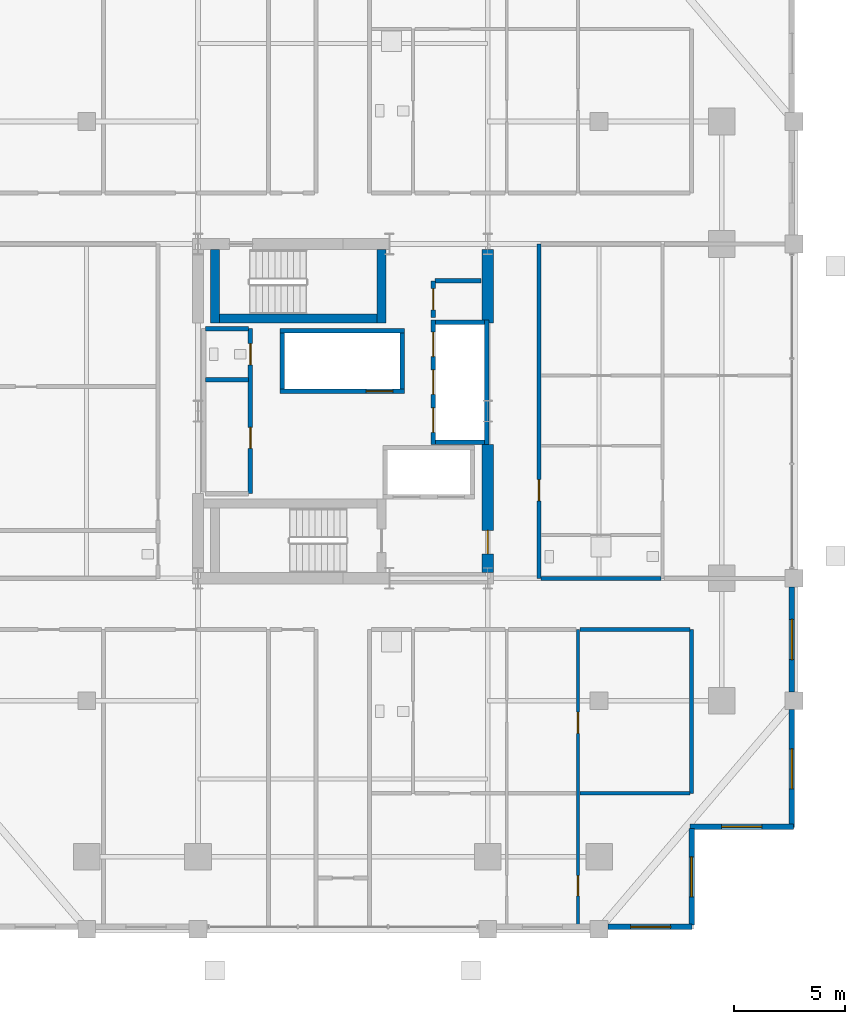
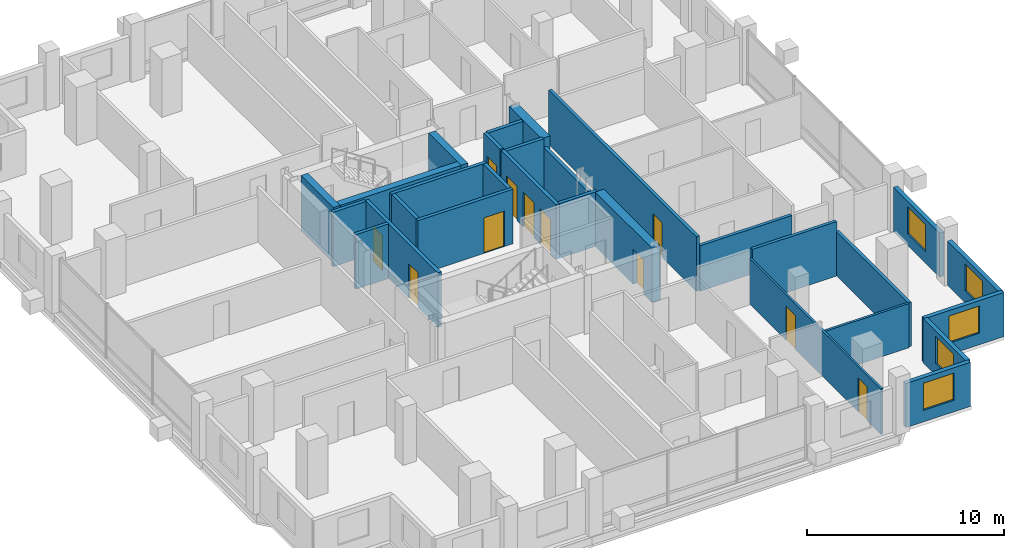
# One storey, part 15 of 19: 29 walls, 11 doors, 5 windows, 16 openings.
"""IFC4 building model written with IfcOpenShell, lengths in metres."""

from ifc_helpers import new_model, si_unit, direction, frame, frame_2d, origin, place, context, subcontext, project, spatial, rectangle, extrude, material, layer, layer_set, type_object, element, fill, save


model = new_model("IFC4")

# Units and contexts
model_context = context("Model", 3, precision=1e-05, world=origin(), true_north=direction((0.0, 1.0)))
body_context = subcontext(model_context, "Body", "Model", "MODEL_VIEW")
ifc_project = project(units=[si_unit("LENGTHUNIT", "METRE"), si_unit("AREAUNIT", "SQUARE_METRE"), si_unit("VOLUMEUNIT", "CUBIC_METRE"), si_unit("PLANEANGLEUNIT", "RADIAN"), si_unit("MASSUNIT", "GRAM", prefix="KILO")], contexts=[model_context])

# Site, building, storey
site_placement = place(None, origin())
site = spatial("IfcSite", under=ifc_project, at=site_placement, CompositionType="ELEMENT")
building_placement = place(site_placement, origin())
building = spatial("IfcBuilding", under=site, at=building_placement, Name="Barlavira Tower and Art Museum", CompositionType="ELEMENT")
storey_placement = place(building_placement, frame((0.0, 0.0, 158.39990234375)))
storey = spatial("IfcBuildingStorey", under=building, at=storey_placement, Name="L40", CompositionType="ELEMENT", Elevation=158.39990234375)

# Wall, openings, doors
ifc_material_1 = material(Name="Gypsum acoustic stud partition", Category="gypsum")
ifc_layer_1 = layer(ifc_material_1, 0.1201171875, Name="Gypsum acoustic stud partition")
ifc_layer_set_1 = layer_set([ifc_layer_1], Name="Gypsum acoustic stud partition")
wall_type_1 = type_object("IfcWallType", Name="Apartment Internal Acoustic Partition 120", PredefinedType="PARTITIONING", material=ifc_layer_set_1)
wall_1_placement = place(storey_placement, frame((10.550048828125, -23.14990234375, 0.0), z_axis=(0.0, 0.0, 1.0), x_axis=(0.0, 1.0, 0.0)))
wall_1 = element("IfcWall", 1, at=wall_1_placement, inside=storey, type_object=wall_type_1, Name="L40 Partition Wall 18", PredefinedType="PARTITIONING", context=body_context, shape_type="SweptSolid", body=[
    extrude(rectangle(XDim=13.349853515625, YDim=0.1201171875, at=frame_2d((6.6748046875, 0.0))), origin(), (0.0, 0.0, 1.0), 2.816162109375),
])
opening_1_placement = place(wall_1_placement, frame((8.686767578125, 0.0, 0.0)))
opening_1 = element("IfcOpeningElement", 2, at=opening_1_placement, cuts=wall_1, Name="Opening D-02", PredefinedType="OPENING", context=body_context, shape_type="SweptSolid", body=[
    extrude(rectangle(XDim=0.949951171875, YDim=2.10009765625, at=frame_2d((0.47509765625, 1.050048828125))), frame((0.0, 0.070068359375, 0.0), z_axis=(0.0, -1.0, 0.0), x_axis=(1.0, 0.0, 0.0)), (0.0, 0.0, 1.0), 0.14013671875),
])
opening_2_placement = place(wall_1_placement, frame((1.39892578125, 0.0, 0.0)))
opening_2 = element("IfcOpeningElement", 3, at=opening_2_placement, cuts=wall_1, Name="Opening D-01", PredefinedType="OPENING", context=body_context, shape_type="SweptSolid", body=[
    extrude(rectangle(XDim=0.89990234375, YDim=2.10009765625, at=frame_2d((0.449951171875, 1.050048828125))), frame((0.0, 0.070068359375, 0.0), z_axis=(0.0, -1.0, 0.0), x_axis=(1.0, 0.0, 0.0)), (0.0, 0.0, 1.0), 0.14013671875),
])
ifc_material_2 = material(Name="Engineered coastal hardwood", Category="wood")
door_type_1 = type_object("IfcDoorType", Name="Internal Bedroom Timber Flush Door 900x2100", OperationType="NOTDEFINED", PredefinedType="DOOR", material=ifc_material_2)
door_1_placement = place(opening_2_placement, origin())
door_1 = element("IfcDoor", 4, at=door_1_placement, inside=storey, type_object=door_type_1, Name="Apartment SE1 Bedroom 2 Door", OperationType="SINGLE_SWING_LEFT", OverallHeight=2.10009765625, OverallWidth=0.89990234375, PredefinedType="DOOR", context=body_context, shape_type="SweptSolid", body=[
    extrude(rectangle(XDim=0.89990234375, YDim=2.10009765625, at=frame_2d((0.449951171875, 1.050048828125))), frame((0.0, 0.02490234375, 0.0), z_axis=(0.0, -1.0, 0.0), x_axis=(1.0, 0.0, 0.0)), (0.0, 0.0, 1.0), 0.050048828125),
])
fill(opening_2, door_1)
door_type_2 = type_object("IfcDoorType", Name="Living and Salon Glazed-Leaf Door 950x2100", OperationType="NOTDEFINED", PredefinedType="DOOR", material=ifc_material_2)
door_2_placement = place(opening_1_placement, origin())
door_2 = element("IfcDoor", 5, at=door_2_placement, inside=storey, type_object=door_type_2, Name="Apartment SE1 Dining Salon Door", OperationType="SINGLE_SWING_RIGHT", OverallHeight=2.10009765625, OverallWidth=0.949951171875, PredefinedType="DOOR", context=body_context, shape_type="SweptSolid", body=[
    extrude(rectangle(XDim=0.949951171875, YDim=2.10009765625, at=frame_2d((0.47509765625, 1.050048828125))), frame((0.0, 0.02490234375, 0.0), z_axis=(0.0, -1.0, 0.0), x_axis=(1.0, 0.0, 0.0)), (0.0, 0.0, 1.0), 0.050048828125),
])
fill(opening_1, door_2)

# Wall, opening, door
ifc_material_3 = material(Name="Concrete C60", Category="concrete")
ifc_layer_2 = layer(ifc_material_3, 0.5, Name="Concrete C60")
ifc_layer_set_2 = layer_set([ifc_layer_2], Name="Concrete C60")
wall_type_2 = type_object("IfcWallType", Name="Core Structural Shear Wall 500 Concrete C60", PredefinedType="SHEAR", material=ifc_layer_set_2)
wall_2_placement = place(storey_placement, frame((6.5, -7.25, 0.0), z_axis=(0.0, 0.0, 1.0), x_axis=(0.0, 1.0, 0.0)))
wall_2 = element("IfcWall", 6, at=wall_2_placement, inside=storey, type_object=wall_type_2, Name="L40 Core Shear Wall CS-E1", PredefinedType="SHEAR", context=body_context, shape_type="SweptSolid", body=[
    extrude(rectangle(XDim=5.75, YDim=0.5, at=frame_2d((2.875, 0.0))), origin(), (0.0, 0.0, 1.0), 3.380126953125),
])
opening_3_placement = place(wall_2_placement, frame((0.85009765625, 0.0, 0.0)))
opening_3 = element("IfcOpeningElement", 7, at=opening_3_placement, cuts=wall_2, Name="Opening FD-90", PredefinedType="OPENING", context=body_context, shape_type="SweptSolid", body=[
    extrude(rectangle(XDim=1.050048828125, YDim=2.14990234375, at=frame_2d((0.52490234375, 1.074951171875))), frame((0.0, 0.260009765625, 0.0), z_axis=(0.0, -1.0, 0.0), x_axis=(1.0, 0.0, 0.0)), (0.0, 0.0, 1.0), 0.52001953125),
])
ifc_material_4 = material(Name="Brushed stainless steel", Category="steel")
door_type_3 = type_object("IfcDoorType", Name="Stair and Refuge Fire Door 1050x2150 FD90S", OperationType="NOTDEFINED", PredefinedType="DOOR", material=ifc_material_4)
door_3_placement = place(opening_3_placement, origin())
door_3 = element("IfcDoor", 8, at=door_3_placement, inside=storey, type_object=door_type_3, Name="L40 Firefighting Lobby Entry Fire Door", OperationType="SINGLE_SWING_LEFT", OverallHeight=2.14990234375, OverallWidth=1.050048828125, PredefinedType="DOOR", context=body_context, shape_type="SweptSolid", body=[
    extrude(rectangle(XDim=1.050048828125, YDim=2.14990234375, at=frame_2d((0.52490234375, 1.074951171875))), frame((0.0, 0.02490234375, 0.0), z_axis=(0.0, -1.0, 0.0), x_axis=(1.0, 0.0, 0.0)), (0.0, 0.0, 1.0), 0.050048828125),
])
fill(opening_3, door_3)

# Wall
wall_3_placement = place(storey_placement, frame((6.5, 3.949951171875, 0.0), z_axis=(0.0, 0.0, 1.0), x_axis=(0.0, 1.0, 0.0)))
element("IfcWall", 9, at=wall_3_placement, inside=storey, type_object=wall_type_2, Name="L40 Core Shear Wall CS-E2", PredefinedType="SHEAR", context=body_context, shape_type="SweptSolid", body=[
    extrude(rectangle(XDim=3.300048828125, YDim=0.5, at=frame_2d((1.64990234375, 0.0))), origin(), (0.0, 0.0, 1.0), 3.380126953125),
])

# Wall, openings, doors
ifc_material_5 = material(Name="Autoclaved aerated concrete masonry", Category="masonry")
ifc_layer_3 = layer(ifc_material_5, 0.199951171875, Name="Autoclaved aerated concrete masonry")
ifc_layer_set_3 = layer_set([ifc_layer_3], Name="Autoclaved aerated concrete masonry")
wall_type_3 = type_object("IfcWallType", Name="Fire Compartment and Shaft Wall 200", PredefinedType="SOLIDWALL", material=ifc_layer_set_3)
wall_4_placement = place(storey_placement, frame((4.050048828125, -1.489990234375, 0.0), z_axis=(0.0, 0.0, 1.0), x_axis=(0.0, 1.0, 0.0)))
wall_4 = element("IfcWall", 10, at=wall_4_placement, inside=storey, type_object=wall_type_3, Name="L40 Mid-Rise Lift Front Shaft Wall", PredefinedType="SOLIDWALL", context=body_context, shape_type="SweptSolid", body=[
    extrude(rectangle(XDim=5.580078125, YDim=0.199951171875, at=frame_2d((2.7900390625, 0.0))), origin(), (0.0, 0.0, 1.0), 3.380126953125),
])
opening_4_placement = place(wall_4_placement, frame((0.5400390625, 0.0, 0.0)))
opening_4 = element("IfcOpeningElement", 11, at=opening_4_placement, cuts=wall_4, Name="Opening LD-P", PredefinedType="OPENING", context=body_context, shape_type="SweptSolid", body=[
    extrude(rectangle(XDim=1.10009765625, YDim=2.14990234375, at=frame_2d((0.550048828125, 1.074951171875))), frame((0.0, 0.10986328125, 0.0), z_axis=(0.0, -1.0, 0.0), x_axis=(1.0, 0.0, 0.0)), (0.0, 0.0, 1.0), 0.219970703125),
])
opening_5_placement = place(wall_4_placement, frame((2.239990234375, 0.0, 0.0)))
opening_5 = element("IfcOpeningElement", 12, at=opening_5_placement, cuts=wall_4, Name="Opening LD-P", PredefinedType="OPENING", context=body_context, shape_type="SweptSolid", body=[
    extrude(rectangle(XDim=1.10009765625, YDim=2.14990234375, at=frame_2d((0.550048828125, 1.074951171875))), frame((0.0, 0.10986328125, 0.0), z_axis=(0.0, -1.0, 0.0), x_axis=(1.0, 0.0, 0.0)), (0.0, 0.0, 1.0), 0.219970703125),
])
opening_6_placement = place(wall_4_placement, frame((3.93994140625, 0.0, 0.0)))
opening_6 = element("IfcOpeningElement", 13, at=opening_6_placement, cuts=wall_4, Name="Opening LD-P", PredefinedType="OPENING", context=body_context, shape_type="SweptSolid", body=[
    extrude(rectangle(XDim=1.10009765625, YDim=2.14990234375, at=frame_2d((0.550048828125, 1.074951171875))), frame((0.0, 0.10986328125, 0.0), z_axis=(0.0, -1.0, 0.0), x_axis=(1.0, 0.0, 0.0)), (0.0, 0.0, 1.0), 0.219970703125),
])
door_type_4 = type_object("IfcDoorType", Name="Passenger Lift Sliding Landing Door 1100x2150 FD60", OperationType="NOTDEFINED", PredefinedType="DOOR", material=ifc_material_4)
door_4_placement = place(opening_4_placement, origin())
door_4 = element("IfcDoor", 14, at=door_4_placement, inside=storey, type_object=door_type_4, Name="L40 Lift PM1 Sliding Landing Door", OperationType="DOUBLE_DOOR_SLIDING", OverallHeight=2.14990234375, OverallWidth=1.10009765625, PredefinedType="DOOR", context=body_context, shape_type="SweptSolid", body=[
    extrude(rectangle(XDim=1.10009765625, YDim=2.14990234375, at=frame_2d((0.550048828125, 1.074951171875))), frame((0.0, 0.02490234375, 0.0), z_axis=(0.0, -1.0, 0.0), x_axis=(1.0, 0.0, 0.0)), (0.0, 0.0, 1.0), 0.050048828125),
])
fill(opening_4, door_4)
door_5_placement = place(opening_5_placement, origin())
door_5 = element("IfcDoor", 15, at=door_5_placement, inside=storey, type_object=door_type_4, Name="L40 Lift PM2 Sliding Landing Door", OperationType="DOUBLE_DOOR_SLIDING", OverallHeight=2.14990234375, OverallWidth=1.10009765625, PredefinedType="DOOR", context=body_context, shape_type="SweptSolid", body=[
    extrude(rectangle(XDim=1.10009765625, YDim=2.14990234375, at=frame_2d((0.550048828125, 1.074951171875))), frame((0.0, 0.02490234375, 0.0), z_axis=(0.0, -1.0, 0.0), x_axis=(1.0, 0.0, 0.0)), (0.0, 0.0, 1.0), 0.050048828125),
])
fill(opening_5, door_5)
door_6_placement = place(opening_6_placement, origin())
door_6 = element("IfcDoor", 16, at=door_6_placement, inside=storey, type_object=door_type_4, Name="L40 Lift PM3 Sliding Landing Door", OperationType="DOUBLE_DOOR_SLIDING", OverallHeight=2.14990234375, OverallWidth=1.10009765625, PredefinedType="DOOR", context=body_context, shape_type="SweptSolid", body=[
    extrude(rectangle(XDim=1.10009765625, YDim=2.14990234375, at=frame_2d((0.550048828125, 1.074951171875))), frame((0.0, 0.02490234375, 0.0), z_axis=(0.0, -1.0, 0.0), x_axis=(1.0, 0.0, 0.0)), (0.0, 0.0, 1.0), 0.050048828125),
])
fill(opening_6, door_6)

# Walls
wall_5_placement = place(storey_placement, frame((6.449951171875, -1.489990234375, 0.0), z_axis=(0.0, 0.0, 1.0), x_axis=(0.0, 1.0, 0.0)))
element("IfcWall", 17, at=wall_5_placement, inside=storey, type_object=wall_type_3, Name="L40 Mid-Rise Lift Back Shaft Wall", PredefinedType="SOLIDWALL", context=body_context, shape_type="SweptSolid", body=[
    extrude(rectangle(XDim=5.580078125, YDim=0.199951171875, at=frame_2d((2.7900390625, 0.0))), origin(), (0.0, 0.0, 1.0), 2.816162109375),
])
for number, where, z_axis, x_axis, name in (
    (18, (4.14990234375, -1.389892578125, 0.0), (0.0, 0.0, 1.0), (1.0, 0.0, 0.0), "L40 Mid-Rise Lift South Shaft Wall"),
    (19, (4.14990234375, 3.989990234375, 0.0), (0.0, 0.0, 1.0), (1.0, 0.0, 0.0), "L40 Mid-Rise Lift North Shaft Wall"),
):
    element("IfcWall", number, at=place(storey_placement, frame(where, z_axis=z_axis, x_axis=x_axis)), inside=storey, type_object=wall_type_3, Name=name, PredefinedType="SOLIDWALL", context=body_context, shape_type="SweptSolid", body=[
        extrude(rectangle(XDim=2.2001953125, YDim=0.199951171875, at=frame_2d((1.10009765625, 0.0))), origin(), (0.0, 0.0, 1.0), 3.380126953125),
    ])

# Wall, opening, door
wall_6_placement = place(storey_placement, frame((-2.820068359375, 0.89990234375, 0.0), z_axis=(0.0, 0.0, 1.0), x_axis=(1.0, 0.0, 0.0)))
wall_6 = element("IfcWall", 20, at=wall_6_placement, inside=storey, type_object=wall_type_3, Name="L40 High-Rise & Service Lift Front Wall", PredefinedType="SOLIDWALL", context=body_context, shape_type="SweptSolid", body=[
    extrude(rectangle(XDim=5.580078125, YDim=0.199951171875, at=frame_2d((2.7900390625, 0.0))), origin(), (0.0, 0.0, 1.0), 3.380126953125),
])
opening_7_placement = place(wall_6_placement, frame((3.860107421875, 0.0, 0.0)))
opening_7 = element("IfcOpeningElement", 21, at=opening_7_placement, cuts=wall_6, Name="Opening LD-F", PredefinedType="OPENING", context=body_context, shape_type="SweptSolid", body=[
    extrude(rectangle(XDim=1.199951171875, YDim=2.199951171875, at=frame_2d((0.60009765625, 1.10009765625))), frame((0.0, 0.10986328125, 0.0), z_axis=(0.0, -1.0, 0.0), x_axis=(1.0, 0.0, 0.0)), (0.0, 0.0, 1.0), 0.219970703125),
])
door_type_5 = type_object("IfcDoorType", Name="Firefighting and Service Lift Sliding Door 1200x2200 FD120", OperationType="NOTDEFINED", PredefinedType="DOOR", material=ifc_material_4)
door_7_placement = place(opening_7_placement, origin())
door_7 = element("IfcDoor", 22, at=door_7_placement, inside=storey, type_object=door_type_5, Name="L40 Stretcher Service Lift SL1 Sliding Door", OperationType="DOUBLE_DOOR_SLIDING", OverallHeight=2.199951171875, OverallWidth=1.199951171875, PredefinedType="DOOR", context=body_context, shape_type="SweptSolid", body=[
    extrude(rectangle(XDim=1.199951171875, YDim=2.199951171875, at=frame_2d((0.60009765625, 1.10009765625))), frame((0.0, 0.02490234375, 0.0), z_axis=(0.0, -1.0, 0.0), x_axis=(1.0, 0.0, 0.0)), (0.0, 0.0, 1.0), 0.050048828125),
])
fill(opening_7, door_7)

# Walls
wall_7_placement = place(storey_placement, frame((-2.820068359375, 3.60009765625, 0.0), z_axis=(0.0, 0.0, 1.0), x_axis=(1.0, 0.0, 0.0)))
element("IfcWall", 23, at=wall_7_placement, inside=storey, type_object=wall_type_3, Name="L40 High-Rise & Service Lift Back Wall", PredefinedType="SOLIDWALL", context=body_context, shape_type="SweptSolid", body=[
    extrude(rectangle(XDim=5.580078125, YDim=0.199951171875, at=frame_2d((2.7900390625, 0.0))), origin(), (0.0, 0.0, 1.0), 3.380126953125),
])
for number, where, z_axis, x_axis, name in (
    (24, (-2.719970703125, 1.0, 0.0), (0.0, 0.0, 1.0), (0.0, 1.0, 0.0), "L40 High-Rise & Service Lift West Wall"),
    (25, (2.659912109375, 1.0, 0.0), (0.0, 0.0, 1.0), (0.0, 1.0, 0.0), "L40 High-Rise & Service Lift East Wall"),
):
    element("IfcWall", number, at=place(storey_placement, frame(where, z_axis=z_axis, x_axis=x_axis)), inside=storey, type_object=wall_type_3, Name=name, PredefinedType="SOLIDWALL", context=body_context, shape_type="SweptSolid", body=[
        extrude(rectangle(XDim=2.5, YDim=0.199951171875, at=frame_2d((1.25, 0.0))), origin(), (0.0, 0.0, 1.0), 3.380126953125),
    ])

# Wall, openings, doors
wall_8_placement = place(storey_placement, frame((-4.14990234375, -3.699951171875, 0.0), z_axis=(0.0, 0.0, 1.0), x_axis=(0.0, 1.0, 0.0)))
wall_8 = element("IfcWall", 26, at=wall_8_placement, inside=storey, type_object=wall_type_3, Name="L40 Partition Wall 5", PredefinedType="SOLIDWALL", context=body_context, shape_type="SweptSolid", body=[
    extrude(rectangle(XDim=7.39990234375, YDim=0.199951171875, at=frame_2d((3.699951171875, 0.0))), origin(), (0.0, 0.0, 1.0), 3.380126953125),
])
opening_8_placement = place(wall_8_placement, frame((2.02490234375, 0.0, 0.0)))
opening_8 = element("IfcOpeningElement", 27, at=opening_8_placement, cuts=wall_8, Name="Opening FD-60", PredefinedType="OPENING", context=body_context, shape_type="SweptSolid", body=[
    extrude(rectangle(XDim=0.949951171875, YDim=2.14990234375, at=frame_2d((0.47509765625, 1.074951171875))), frame((0.0, 0.10986328125, 0.0), z_axis=(0.0, -1.0, 0.0), x_axis=(1.0, 0.0, 0.0)), (0.0, 0.0, 1.0), 0.219970703125),
])
opening_9_placement = place(wall_8_placement, frame((5.77490234375, 0.0, 0.0)))
opening_9 = element("IfcOpeningElement", 28, at=opening_9_placement, cuts=wall_8, Name="Opening FD-60", PredefinedType="OPENING", context=body_context, shape_type="SweptSolid", body=[
    extrude(rectangle(XDim=0.949951171875, YDim=2.14990234375, at=frame_2d((0.47509765625, 1.074951171875))), frame((0.0, 0.10986328125, 0.0), z_axis=(0.0, -1.0, 0.0), x_axis=(1.0, 0.0, 0.0)), (0.0, 0.0, 1.0), 0.219970703125),
])
door_type_6 = type_object("IfcDoorType", Name="Apartment Entrance and Riser Fire Door 950x2150 FD60S", OperationType="NOTDEFINED", PredefinedType="DOOR", material=ifc_material_4)
door_8_placement = place(opening_8_placement, origin())
door_8 = element("IfcDoor", 29, at=door_8_placement, inside=storey, type_object=door_type_6, Name="Reclaimed Core Resident Parcel Room Door", OperationType="SINGLE_SWING_RIGHT", OverallHeight=2.14990234375, OverallWidth=0.949951171875, PredefinedType="DOOR", context=body_context, shape_type="SweptSolid", body=[
    extrude(rectangle(XDim=0.949951171875, YDim=2.14990234375, at=frame_2d((0.47509765625, 1.074951171875))), frame((0.0, 0.02490234375, 0.0), z_axis=(0.0, -1.0, 0.0), x_axis=(1.0, 0.0, 0.0)), (0.0, 0.0, 1.0), 0.050048828125),
])
fill(opening_8, door_8)
door_9_placement = place(opening_9_placement, origin())
door_9 = element("IfcDoor", 30, at=door_9_placement, inside=storey, type_object=door_type_6, Name="Reclaimed Core Accessible WC Door", OperationType="SINGLE_SWING_LEFT", OverallHeight=2.14990234375, OverallWidth=0.949951171875, PredefinedType="DOOR", context=body_context, shape_type="SweptSolid", body=[
    extrude(rectangle(XDim=0.949951171875, YDim=2.14990234375, at=frame_2d((0.47509765625, 1.074951171875))), frame((0.0, 0.02490234375, 0.0), z_axis=(0.0, -1.0, 0.0), x_axis=(1.0, 0.0, 0.0)), (0.0, 0.0, 1.0), 0.050048828125),
])
fill(opening_9, door_9)

# Wall, opening, door
wall_9_placement = place(storey_placement, frame((4.050048828125, 4.199951171875, 0.0), z_axis=(0.0, 0.0, 1.0), x_axis=(0.0, 1.0, 0.0)))
wall_9 = element("IfcWall", 31, at=wall_9_placement, inside=storey, type_object=wall_type_3, Name="L40 Partition Wall 14", PredefinedType="SOLIDWALL", context=body_context, shape_type="SweptSolid", body=[
    extrude(rectangle(XDim=1.650146484375, YDim=0.199951171875, at=frame_2d((0.8251953125, 0.0))), origin(), (0.0, 0.0, 1.0), 3.380126953125),
])
opening_10_placement = place(wall_9_placement, frame((0.344970703125, 0.0, 0.0)))
opening_10 = element("IfcOpeningElement", 32, at=opening_10_placement, cuts=wall_9, Name="Opening FD-60", PredefinedType="OPENING", context=body_context, shape_type="SweptSolid", body=[
    extrude(rectangle(XDim=0.949951171875, YDim=2.14990234375, at=frame_2d((0.47509765625, 1.074951171875))), frame((0.0, 0.10986328125, 0.0), z_axis=(0.0, -1.0, 0.0), x_axis=(1.0, 0.0, 0.0)), (0.0, 0.0, 1.0), 0.219970703125),
])
door_10_placement = place(opening_10_placement, origin())
door_10 = element("IfcDoor", 33, at=door_10_placement, inside=storey, type_object=door_type_6, Name="Telecom and BMS Distribution Room Door", OperationType="SINGLE_SWING_RIGHT", OverallHeight=2.14990234375, OverallWidth=0.949951171875, PredefinedType="DOOR", context=body_context, shape_type="SweptSolid", body=[
    extrude(rectangle(XDim=0.949951171875, YDim=2.14990234375, at=frame_2d((0.47509765625, 1.074951171875))), frame((0.0, 0.02490234375, 0.0), z_axis=(0.0, -1.0, 0.0), x_axis=(1.0, 0.0, 0.0)), (0.0, 0.0, 1.0), 0.050048828125),
])
fill(opening_10, door_10)

# Walls
for number, where, z_axis, x_axis, name in (
    (34, (-6.169921875, 1.39990234375, 0.0), (0.0, 0.0, 1.0), (1.0, 0.0, 0.0), "L40 Partition Wall 43"),
    (35, (-6.169921875, 3.699951171875, 0.0), (0.0, 0.0, 1.0), (1.0, 0.0, 0.0), "L40 Partition Wall 46"),
):
    element("IfcWall", number, at=place(storey_placement, frame(where, z_axis=z_axis, x_axis=x_axis)), inside=storey, type_object=wall_type_3, Name=name, PredefinedType="SOLIDWALL", context=body_context, shape_type="SweptSolid", body=[
        extrude(rectangle(XDim=1.93994140625, YDim=0.199951171875, at=frame_2d((0.969970703125, 0.0))), origin(), (0.0, 0.0, 1.0), 3.380126953125),
    ])
wall_10_placement = place(storey_placement, frame((4.1298828125, 5.85009765625, 0.0), z_axis=(0.0, 0.0, 1.0), x_axis=(1.0, 0.0, 0.0)))
element("IfcWall", 36, at=wall_10_placement, inside=storey, type_object=wall_type_3, Name="L40 Partition Wall 47", PredefinedType="SOLIDWALL", context=body_context, shape_type="SweptSolid", body=[
    extrude(rectangle(XDim=2.070068359375, YDim=0.199951171875, at=frame_2d((1.03515625, 0.0))), origin(), (0.0, 0.0, 1.0), 3.380126953125),
])

# Wall, opening, door
ifc_layer_4 = layer(ifc_material_1, 0.179931640625, Name="Gypsum acoustic stud partition")
ifc_layer_set_4 = layer_set([ifc_layer_4], Name="Gypsum acoustic stud partition")
wall_type_4 = type_object("IfcWallType", Name="Inter-Tenancy Party Partition Wall 180", PredefinedType="PARTITIONING", material=ifc_layer_set_4)
wall_11_placement = place(storey_placement, frame((8.800048828125, -7.5, 0.0), z_axis=(0.0, 0.0, 1.0), x_axis=(0.0, 1.0, 0.0)))
wall_11 = element("IfcWall", 37, at=wall_11_placement, inside=storey, type_object=wall_type_4, Name="L40 Partition Wall 17", PredefinedType="PARTITIONING", context=body_context, shape_type="SweptSolid", body=[
    extrude(rectangle(XDim=15.0, YDim=0.179931640625, at=frame_2d((7.5, 0.0))), origin(), (0.0, 0.0, 1.0), 3.380126953125),
])
opening_11_placement = place(wall_11_placement, frame((3.47509765625, 0.0, 0.0)))
opening_11 = element("IfcOpeningElement", 38, at=opening_11_placement, cuts=wall_11, Name="Opening FD-60", PredefinedType="OPENING", context=body_context, shape_type="SweptSolid", body=[
    extrude(rectangle(XDim=0.949951171875, YDim=2.14990234375, at=frame_2d((0.47509765625, 1.074951171875))), frame((0.0, 0.10009765625, 0.0), z_axis=(0.0, -1.0, 0.0), x_axis=(1.0, 0.0, 0.0)), (0.0, 0.0, 1.0), 0.199951171875),
])
door_11_placement = place(opening_11_placement, origin())
door_11 = element("IfcDoor", 39, at=door_11_placement, inside=storey, type_object=door_type_6, Name="Apartment Entrance Hall E1 Door", OperationType="SINGLE_SWING_LEFT", OverallHeight=2.14990234375, OverallWidth=0.949951171875, PredefinedType="DOOR", context=body_context, shape_type="SweptSolid", body=[
    extrude(rectangle(XDim=0.949951171875, YDim=2.14990234375, at=frame_2d((0.47509765625, 1.074951171875))), frame((0.0, 0.02490234375, 0.0), z_axis=(0.0, -1.0, 0.0), x_axis=(1.0, 0.0, 0.0)), (0.0, 0.0, 1.0), 0.050048828125),
])
fill(opening_11, door_11)

# Walls
wall_12_placement = place(storey_placement, frame((15.64990234375, -17.14990234375, 0.0), z_axis=(0.0, 0.0, 1.0), x_axis=(0.0, 1.0, 0.0)))
element("IfcWall", 40, at=wall_12_placement, inside=storey, type_object=wall_type_4, Name="L40 Partition Wall 21", PredefinedType="PARTITIONING", context=body_context, shape_type="SweptSolid", body=[
    extrude(rectangle(XDim=7.349853515625, YDim=0.179931640625, at=frame_2d((3.6748046875, 0.0))), origin(), (0.0, 0.0, 1.0), 2.736083984375),
])
wall_13_placement = place(storey_placement, frame((10.6298828125, -9.800048828125, 0.0), z_axis=(0.0, 0.0, 1.0), x_axis=(1.0, 0.0, 0.0)))
element("IfcWall", 41, at=wall_13_placement, inside=storey, type_object=wall_type_4, Name="L40 Partition Wall 34", PredefinedType="PARTITIONING", context=body_context, shape_type="SweptSolid", body=[
    extrude(rectangle(XDim=4.940185546875, YDim=0.179931640625, at=frame_2d((2.47021484375, 0.0))), origin(), (0.0, 0.0, 1.0), 3.380126953125),
])
wall_14_placement = place(storey_placement, frame((8.8798828125, -7.5, 0.0), z_axis=(0.0, 0.0, 1.0), x_axis=(1.0, 0.0, 0.0)))
element("IfcWall", 42, at=wall_14_placement, inside=storey, type_object=wall_type_4, Name="L40 Partition Wall 36", PredefinedType="PARTITIONING", context=body_context, shape_type="SweptSolid", body=[
    extrude(rectangle(XDim=5.39013671875, YDim=0.179931640625, at=frame_2d((2.695068359375, 0.0))), origin(), (0.0, 0.0, 1.0), 2.816162109375),
])
ifc_layer_5 = layer(ifc_material_1, 0.139892578125, Name="Gypsum acoustic stud partition")
ifc_layer_set_5 = layer_set([ifc_layer_5], Name="Gypsum acoustic stud partition")
wall_type_5 = type_object("IfcWallType", Name="Moisture-Resistant Bathroom Partition 140", PredefinedType="PARTITIONING", material=ifc_layer_set_5)
wall_15_placement = place(storey_placement, frame((10.6298828125, -17.14990234375, 0.0), z_axis=(0.0, 0.0, 1.0), x_axis=(1.0, 0.0, 0.0)))
element("IfcWall", 43, at=wall_15_placement, inside=storey, type_object=wall_type_5, Name="L40 Partition Wall 27", PredefinedType="PARTITIONING", context=body_context, shape_type="SweptSolid", body=[
    extrude(rectangle(XDim=4.940185546875, YDim=0.139892578125, at=frame_2d((2.47021484375, 0.0))), origin(), (0.0, 0.0, 1.0), 2.736083984375),
])

# Wall, opening, window
ifc_material_6 = material(Name="Precast concrete C40", Category="concrete")
ifc_layer_6 = layer(ifc_material_6, 0.25, Name="Precast concrete C40")
ifc_layer_set_6 = layer_set([ifc_layer_6], Name="Precast concrete C40")
wall_type_6 = type_object("IfcWallType", Name="Notched Corner Spandrel Wall 250 Precast Concrete C40", PredefinedType="SOLIDWALL", material=ifc_layer_set_6)
wall_16_placement = place(storey_placement, frame((11.89501953125, -23.14990234375, 0.0), z_axis=(0.0, 0.0, 1.0), x_axis=(1.0, 0.0, 0.0)))
wall_16 = element("IfcWall", 44, at=wall_16_placement, inside=storey, type_object=wall_type_6, Name="L40 Coastal Facade Pier Wall CW2-L40-S-5", PredefinedType="SOLIDWALL", context=body_context, shape_type="SweptSolid", body=[
    extrude(rectangle(XDim=3.780029296875, YDim=0.25, at=frame_2d((1.89013671875, 0.0))), origin(), (0.0, 0.0, 1.0), 2.736083984375),
])
opening_12_placement = place(wall_16_placement, frame((1.012939453125, 0.0, 0.719970703125)))
opening_12 = element("IfcOpeningElement", 45, at=opening_12_placement, cuts=wall_16, Name="Opening WN-01", PredefinedType="OPENING", context=body_context, shape_type="SweptSolid", body=[
    extrude(rectangle(XDim=1.800048828125, YDim=1.679931640625, at=frame_2d((0.89990234375, 0.83984375))), frame((0.0, 0.135009765625, 0.0), z_axis=(0.0, -1.0, 0.0), x_axis=(1.0, 0.0, 0.0)), (0.0, 0.0, 1.0), 0.27001953125),
])
ifc_material_7 = material(Name="Low-iron coastal laminated glass", Category="glass")
window_type = type_object("IfcWindowType", Name="Recessed Notch Corner Punch Window 1800x1680", PartitioningType="SINGLE_PANEL", PredefinedType="WINDOW", material=ifc_material_7)
window_1_placement = place(opening_12_placement, origin())
window_1 = element("IfcWindow", 46, at=window_1_placement, inside=storey, type_object=window_type, Name="L40 Punched Facade Window EWP-CW2-L40-S-5-1", OverallHeight=1.679931640625, OverallWidth=1.800048828125, PartitioningType="SINGLE_PANEL", PredefinedType="WINDOW", context=body_context, shape_type="SweptSolid", body=[
    extrude(rectangle(XDim=1.800048828125, YDim=1.679931640625, at=frame_2d((0.89990234375, 0.83984375))), frame((0.0, 0.030029296875, 0.0), z_axis=(0.0, -1.0, 0.0), x_axis=(1.0, 0.0, 0.0)), (0.0, 0.0, 1.0), 0.06005859375),
])
fill(opening_12, window_1)

wall_17_placement = place(storey_placement, frame((20.14990234375, -18.675048828125, 0.0), z_axis=(0.0, 0.0, 1.0), x_axis=(0.0, 1.0, 0.0)))
wall_17 = element("IfcWall", 47, at=wall_17_placement, inside=storey, type_object=wall_type_6, Name="L40 Coastal Facade Pier Wall CW2-L40-E-1", PredefinedType="SOLIDWALL", context=body_context, shape_type="SweptSolid", body=[
    extrude(rectangle(XDim=5.280029296875, YDim=0.25, at=frame_2d((2.64013671875, 0.0))), origin(), (0.0, 0.0, 1.0), 2.736083984375),
])
opening_13_placement = place(wall_17_placement, frame((1.718017578125, 0.0, 0.719970703125)))
opening_13 = element("IfcOpeningElement", 48, at=opening_13_placement, cuts=wall_17, Name="Opening WN-01", PredefinedType="OPENING", context=body_context, shape_type="SweptSolid", body=[
    extrude(rectangle(XDim=1.800048828125, YDim=1.679931640625, at=frame_2d((0.89990234375, 0.83984375))), frame((0.0, 0.135009765625, 0.0), z_axis=(0.0, -1.0, 0.0), x_axis=(1.0, 0.0, 0.0)), (0.0, 0.0, 1.0), 0.27001953125),
])
window_2_placement = place(opening_13_placement, origin())
window_2 = element("IfcWindow", 49, at=window_2_placement, inside=storey, type_object=window_type, Name="L40 Punched Facade Window EWP-CW2-L40-E-1-1", OverallHeight=1.679931640625, OverallWidth=1.800048828125, PartitioningType="SINGLE_PANEL", PredefinedType="WINDOW", context=body_context, shape_type="SweptSolid", body=[
    extrude(rectangle(XDim=1.800048828125, YDim=1.679931640625, at=frame_2d((0.89990234375, 0.83984375))), frame((0.0, 0.030029296875, 0.0), z_axis=(0.0, -1.0, 0.0), x_axis=(1.0, 0.0, 0.0)), (0.0, 0.0, 1.0), 0.06005859375),
])
fill(opening_13, window_2)

wall_18_placement = place(storey_placement, frame((20.14990234375, -12.60498046875, 0.0), z_axis=(0.0, 0.0, 1.0), x_axis=(0.0, 1.0, 0.0)))
wall_18 = element("IfcWall", 50, at=wall_18_placement, inside=storey, type_object=wall_type_6, Name="L40 Coastal Facade Pier Wall CW2-L40-E-2", PredefinedType="SOLIDWALL", context=body_context, shape_type="SweptSolid", body=[
    extrude(rectangle(XDim=4.7099609375, YDim=0.25, at=frame_2d((2.35498046875, 0.0))), origin(), (0.0, 0.0, 1.0), 2.736083984375),
])
opening_14_placement = place(wall_18_placement, frame((1.455078125, 0.0, 0.719970703125)))
opening_14 = element("IfcOpeningElement", 51, at=opening_14_placement, cuts=wall_18, Name="Opening WN-01", PredefinedType="OPENING", context=body_context, shape_type="SweptSolid", body=[
    extrude(rectangle(XDim=1.800048828125, YDim=1.679931640625, at=frame_2d((0.89990234375, 0.83984375))), frame((0.0, 0.135009765625, 0.0), z_axis=(0.0, -1.0, 0.0), x_axis=(1.0, 0.0, 0.0)), (0.0, 0.0, 1.0), 0.27001953125),
])
window_3_placement = place(opening_14_placement, origin())
window_3 = element("IfcWindow", 52, at=window_3_placement, inside=storey, type_object=window_type, Name="L40 Punched Facade Window EWP-CW2-L40-E-2-1", OverallHeight=1.679931640625, OverallWidth=1.800048828125, PartitioningType="SINGLE_PANEL", PredefinedType="WINDOW", context=body_context, shape_type="SweptSolid", body=[
    extrude(rectangle(XDim=1.800048828125, YDim=1.679931640625, at=frame_2d((0.89990234375, 0.83984375))), frame((0.0, 0.030029296875, 0.0), z_axis=(0.0, -1.0, 0.0), x_axis=(1.0, 0.0, 0.0)), (0.0, 0.0, 1.0), 0.06005859375),
])
fill(opening_14, window_3)

wall_19_placement = place(storey_placement, frame((15.64990234375, -23.070068359375, 0.0), z_axis=(0.0, 0.0, 1.0), x_axis=(0.0, 1.0, 0.0)))
wall_19 = element("IfcWall", 53, at=wall_19_placement, inside=storey, type_object=wall_type_6, Name="L40 Notch Corner Wall SE1", PredefinedType="SOLIDWALL", context=body_context, shape_type="SweptSolid", body=[
    extrude(rectangle(XDim=4.340087890625, YDim=0.25, at=frame_2d((2.169921875, 0.0))), origin(), (0.0, 0.0, 1.0), 2.736083984375),
])
opening_15_placement = place(wall_19_placement, frame((1.27001953125, 0.0, 0.719970703125)))
opening_15 = element("IfcOpeningElement", 54, at=opening_15_placement, cuts=wall_19, Name="Opening WN-01", PredefinedType="OPENING", context=body_context, shape_type="SweptSolid", body=[
    extrude(rectangle(XDim=1.800048828125, YDim=1.679931640625, at=frame_2d((0.89990234375, 0.83984375))), frame((0.0, 0.135009765625, 0.0), z_axis=(0.0, -1.0, 0.0), x_axis=(1.0, 0.0, 0.0)), (0.0, 0.0, 1.0), 0.27001953125),
])
window_4_placement = place(opening_15_placement, origin())
window_4 = element("IfcWindow", 55, at=window_4_placement, inside=storey, type_object=window_type, Name="L40 Punched Facade Window EW-NTC-L40-SE1-1", OverallHeight=1.679931640625, OverallWidth=1.800048828125, PartitioningType="SINGLE_PANEL", PredefinedType="WINDOW", context=body_context, shape_type="SweptSolid", body=[
    extrude(rectangle(XDim=1.800048828125, YDim=1.679931640625, at=frame_2d((0.89990234375, 0.83984375))), frame((0.0, 0.030029296875, 0.0), z_axis=(0.0, -1.0, 0.0), x_axis=(1.0, 0.0, 0.0)), (0.0, 0.0, 1.0), 0.06005859375),
])
fill(opening_15, window_4)

wall_20_placement = place(storey_placement, frame((15.570068359375, -18.64990234375, 0.0), z_axis=(0.0, 0.0, 1.0), x_axis=(1.0, 0.0, 0.0)))
wall_20 = element("IfcWall", 56, at=wall_20_placement, inside=storey, type_object=wall_type_6, Name="L40 Notch Corner Wall SE2", PredefinedType="SOLIDWALL", context=body_context, shape_type="SweptSolid", body=[
    extrude(rectangle(XDim=4.659912109375, YDim=0.25, at=frame_2d((2.330078125, 0.0))), origin(), (0.0, 0.0, 1.0), 2.736083984375),
])
opening_16_placement = place(wall_20_placement, frame((1.429931640625, 0.0, 0.719970703125)))
opening_16 = element("IfcOpeningElement", 57, at=opening_16_placement, cuts=wall_20, Name="Opening WN-01", PredefinedType="OPENING", context=body_context, shape_type="SweptSolid", body=[
    extrude(rectangle(XDim=1.800048828125, YDim=1.679931640625, at=frame_2d((0.89990234375, 0.83984375))), frame((0.0, 0.135009765625, 0.0), z_axis=(0.0, -1.0, 0.0), x_axis=(1.0, 0.0, 0.0)), (0.0, 0.0, 1.0), 0.27001953125),
])
window_5_placement = place(opening_16_placement, origin())
window_5 = element("IfcWindow", 58, at=window_5_placement, inside=storey, type_object=window_type, Name="L40 Punched Facade Window EW-NTC-L40-SE2-1", OverallHeight=1.679931640625, OverallWidth=1.800048828125, PartitioningType="SINGLE_PANEL", PredefinedType="WINDOW", context=body_context, shape_type="SweptSolid", body=[
    extrude(rectangle(XDim=1.800048828125, YDim=1.679931640625, at=frame_2d((0.89990234375, 0.83984375))), frame((0.0, 0.030029296875, 0.0), z_axis=(0.0, -1.0, 0.0), x_axis=(1.0, 0.0, 0.0)), (0.0, 0.0, 1.0), 0.06005859375),
])
fill(opening_16, window_5)

# Walls
ifc_material_8 = material(Name="Concrete C55", Category="concrete")
ifc_layer_7 = layer(ifc_material_8, 0.39990234375, Name="Concrete C55")
ifc_layer_set_7 = layer_set([ifc_layer_7], Name="Concrete C55")
wall_type_7 = type_object("IfcWallType", Name="Upper Core Shear Wall 400 Concrete C55", PredefinedType="SHEAR", material=ifc_layer_set_7)
wall_21_placement = place(storey_placement, frame((-5.550048828125, 4.14990234375, 0.0), z_axis=(0.0, 0.0, 1.0), x_axis=(1.0, 0.0, 0.0)))
element("IfcWall", 59, at=wall_21_placement, inside=storey, type_object=wall_type_7, Name="L40 ST-T2 South Shaft Wall", PredefinedType="SHEAR", context=body_context, shape_type="SweptSolid", body=[
    extrude(rectangle(XDim=7.080078125, YDim=0.39990234375, at=frame_2d((3.5400390625, 0.0))), origin(), (0.0, 0.0, 1.0), 3.380126953125),
])
for number, where, z_axis, x_axis, name in (
    (60, (1.72998046875, 3.949951171875, 0.0), (0.0, 0.0, 1.0), (0.0, 1.0, 0.0), "L40 ST-T2 East Half-Landing Wall"),
    (61, (-5.75, 3.949951171875, 0.0), (0.0, 0.0, 1.0), (0.0, 1.0, 0.0), "L40 ST-T2 West Shaft Wall"),
):
    element("IfcWall", number, at=place(storey_placement, frame(where, z_axis=z_axis, x_axis=x_axis)), inside=storey, type_object=wall_type_7, Name=name, PredefinedType="SHEAR", context=body_context, shape_type="SweptSolid", body=[
        extrude(rectangle(XDim=3.300048828125, YDim=0.39990234375, at=frame_2d((1.64990234375, 0.0))), origin(), (0.0, 0.0, 1.0), 3.380126953125),
    ])

save(model, "model.ifc")
